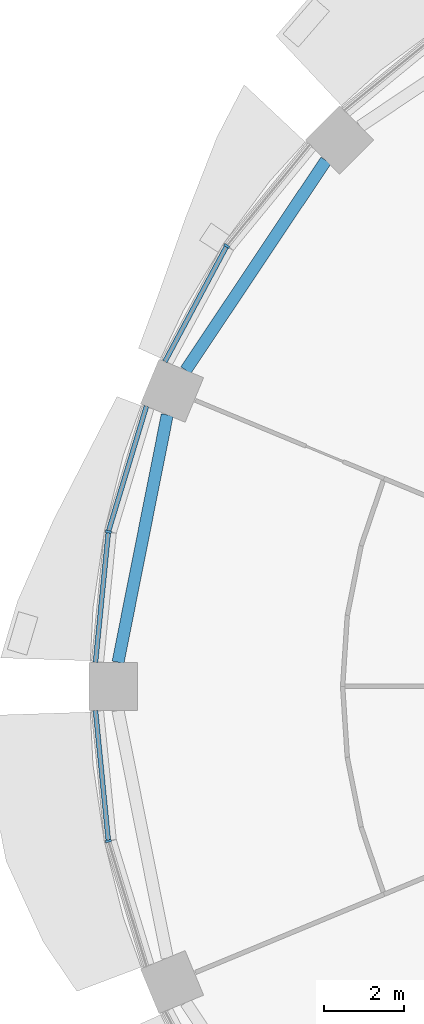
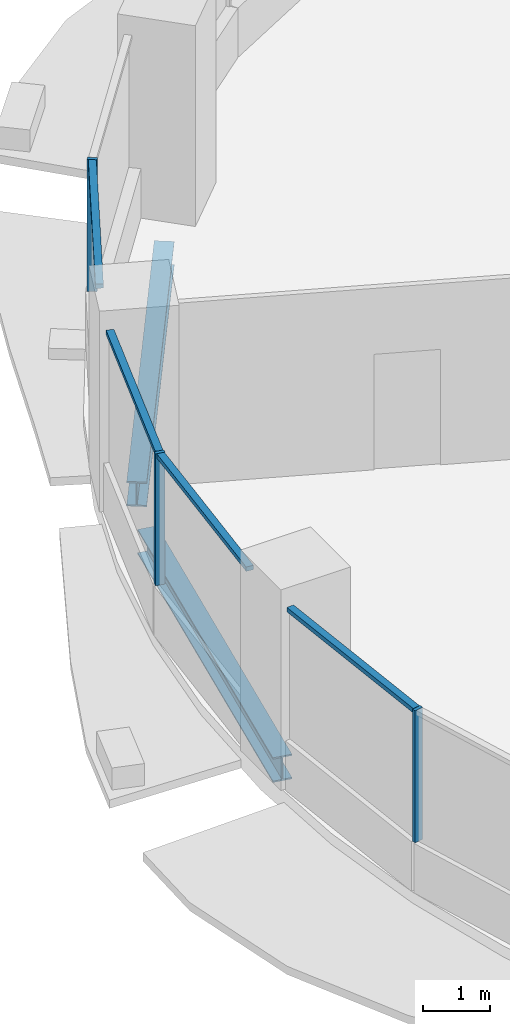
# One storey, part 4 of 15: 7 members, 2 beams, 3 elements without a shape of their own.
"""IFC4 building model written with IfcOpenShell, lengths in metres."""

import ifcopenshell
import ifcopenshell.guid

model = None  # the IFC model being written
_history = None  # IfcOwnerHistory: only IFC2X3 demands one
_inside = {}  # id of a spatial element -> (the spatial element, [elements in it])
_under = {}  # id of a project, library or spatial element -> (it, [spatial elements below it])
_declared = {}  # id of a project -> (the project, [libraries it declares])
_typed = {}  # id of a type object -> (the type object, [elements of that type])
_made_of = {}  # id of a material, layer set ... -> (it, [elements and type objects made of it])


def new_model(schema):
    """Start an empty IFC model of exactly this schema.

    Asked for "IFC4X3", IfcOpenShell would pick the latest addendum, in which some entities
    have other attributes; the version numbers below select the first issue.
    IFC2X3 requires an IfcOwnerHistory on every rooted entity: one is made here for all.
    """
    global model, _history
    if schema == "IFC4X3":
        model = ifcopenshell.file(schema_version=(4, 3, 0, 0))
    else:
        model = ifcopenshell.file(schema=schema)
    _inside.clear()
    _under.clear()
    _declared.clear()
    _typed.clear()
    _made_of.clear()
    _history = None
    if model.schema == "IFC2X3":
        org = make("IfcOrganization", Name="unknown")
        user = make(
            "IfcPersonAndOrganization",
            ThePerson=make("IfcPerson", FamilyName="unknown"),
            TheOrganization=org,
        )
        app = make(
            "IfcApplication",
            ApplicationDeveloper=org,
            Version="unknown",
            ApplicationFullName="unknown",
            ApplicationIdentifier="unknown",
        )
        _history = make(
            "IfcOwnerHistory",
            OwningUser=user,
            OwningApplication=app,
            ChangeAction="ADDED",
            CreationDate=0,
        )
    return model


def make(cls, **values):
    """One entity of the class cls with the attributes given. An attribute that is None is left unset."""
    return model.create_entity(
        cls, **{name: value for name, value in values.items() if value is not None}
    )


def rooted(cls, **values):
    """An entity with a GlobalId (a new one), such as an element, a storey or a relation."""
    return make(cls, GlobalId=ifcopenshell.guid.new(), OwnerHistory=_history, **values)


def si_unit(unit_type, name, prefix=None):
    """IfcSIUnit, for example si_unit("LENGTHUNIT", "METRE", prefix="MILLI")."""
    return make("IfcSIUnit", UnitType=unit_type, Prefix=prefix, Name=name)


def assignment(units):
    """IfcUnitAssignment: the units of a project."""
    return None if units is None else make("IfcUnitAssignment", Units=units)


def point(xyz):
    """IfcCartesianPoint."""
    return None if xyz is None else make("IfcCartesianPoint", Coordinates=xyz)


def direction(xyz):
    """IfcDirection."""
    return None if xyz is None else make("IfcDirection", DirectionRatios=xyz)


def frame(location, z_axis=None, x_axis=None):
    """IfcAxis2Placement3D, a coordinate frame: its origin and axes. An axis left out is left unset."""
    return make(
        "IfcAxis2Placement3D",
        Location=point(location),
        Axis=direction(z_axis),
        RefDirection=direction(x_axis),
    )


def frame_2d(location, x_axis=None):
    """IfcAxis2Placement2D, a coordinate frame in the plane: its origin and x axis."""
    return make(
        "IfcAxis2Placement2D", Location=point(location), RefDirection=direction(x_axis)
    )


def origin():
    """The frame at (0, 0, 0) with its axes left unset."""
    return frame((0.0, 0.0, 0.0))


def origin_2d():
    """The frame at (0, 0) in the plane with its x axis left unset."""
    return frame_2d((0.0, 0.0))


def place(relative_to, where):
    """IfcLocalPlacement: puts the frame where relative to a parent placement (None: the world)."""
    return make(
        "IfcLocalPlacement", PlacementRelTo=relative_to, RelativePlacement=where
    )


def context(
    kind, dimensions, precision=None, world=None, true_north=None, identifier=None
):
    """IfcGeometricRepresentationContext, for example the 3D "Model" context."""
    return make(
        "IfcGeometricRepresentationContext",
        ContextIdentifier=identifier,
        ContextType=kind,
        CoordinateSpaceDimension=dimensions,
        Precision=precision,
        WorldCoordinateSystem=world,
        TrueNorth=true_north,
    )


def subcontext(parent, identifier, kind, view, scale=None):
    """IfcGeometricRepresentationSubContext, for example "Body" below "Model"."""
    return make(
        "IfcGeometricRepresentationSubContext",
        ContextIdentifier=identifier,
        ContextType=kind,
        ParentContext=parent,
        TargetScale=scale,
        TargetView=view,
    )


def project(units=None, contexts=None):
    """IfcProject with its units and contexts."""
    return rooted(
        "IfcProject",
        Name="project",
        RepresentationContexts=contexts,
        UnitsInContext=assignment(units),
    )


def spatial(cls, under=None, at=None, **own):
    """A site, building, storey or space (cls), placed at a placement, below another one or the project."""
    s = rooted(cls, ObjectPlacement=at, **own)
    if under is not None:
        _under.setdefault(under.id(), (under, []))[1].append(s)
    return s


def profile(cls, at=None, kind="AREA", **sizes):
    """A parametric profile (cls). Its sizes go by their IFC names, for example OverallWidth=200.0."""
    return make(cls, ProfileType=kind, Position=at, **sizes)


def rectangle(**sizes):
    """IfcRectangleProfileDef."""
    return profile("IfcRectangleProfileDef", **sizes)


def i_section(**sizes):
    """IfcIShapeProfileDef."""
    return profile("IfcIShapeProfileDef", **sizes)


def extrude(swept, where, along, depth):
    """IfcExtrudedAreaSolid: the profile swept, set in the frame where, extruded along a direction by depth."""
    return make(
        "IfcExtrudedAreaSolid",
        SweptArea=swept,
        Position=where,
        ExtrudedDirection=direction(along),
        Depth=depth,
    )


def shape(context_of_items, identifier, shape_type, items):
    """IfcShapeRepresentation: the items that make up one representation, for example the "Body"."""
    return make(
        "IfcShapeRepresentation",
        ContextOfItems=context_of_items,
        RepresentationIdentifier=identifier,
        RepresentationType=shape_type,
        Items=items,
    )


def material(Name=None, Category=None):
    """IfcMaterial."""
    return make("IfcMaterial", Name=Name, Category=Category)


def material_profile(
    of_material, cross_section, Name=None, Category=None, Priority=None
):
    """IfcMaterialProfile: a cross section and its material."""
    return make(
        "IfcMaterialProfile",
        Name=Name,
        Material=of_material,
        Profile=cross_section,
        Priority=Priority,
        Category=Category,
    )


def profile_set(profiles, Name=None, composite=None):
    """IfcMaterialProfileSet."""
    return make(
        "IfcMaterialProfileSet",
        Name=Name,
        MaterialProfiles=profiles,
        CompositeProfile=composite,
    )


def made_of(thing, what):
    """Note that an element or type object is made of a material, layer set ...; save() writes the relation."""
    if what is not None:
        _made_of.setdefault(what.id(), (what, []))[1].append(thing)
    return thing


def type_object(cls, material=None, **own):
    """A type object (cls), such as IfcWallType, which elements share."""
    return made_of(rooted(cls, **own), material)


def element(
    cls,
    number,
    at=None,
    inside=None,
    cuts=None,
    type_object=None,
    material=None,
    context=None,
    identifier="Body",
    shape_type=None,
    held_by="IfcProductDefinitionShape",
    body=None,
    shapes=None,
    **own,
):
    """One element of the class cls, such as IfcWall. Its Tag is "e" and its number.

    at: its placement. inside: the storey or other place that contains it. cuts: it is an
    opening in that element (IfcRelVoidsElement). A single representation is given by context,
    identifier, shape_type and body (its items); several are given by shapes. held_by: the class
    of the entity that holds the representations. save() writes the other relations.
    """
    e = rooted(cls, Tag="e%d" % number, ObjectPlacement=at, **own)
    if body is not None:
        shapes = [shape(context, identifier, shape_type, body)]
    if shapes is not None:
        e.Representation = make(held_by, Representations=shapes)
    if inside is not None:
        _inside.setdefault(inside.id(), (inside, []))[1].append(e)
    if cuts is not None:
        rooted(
            "IfcRelVoidsElement", RelatingBuildingElement=cuts, RelatedOpeningElement=e
        )
    if type_object is not None:
        _typed.setdefault(type_object.id(), (type_object, []))[1].append(e)
    return made_of(e, material)


def aggregate(whole, parts):
    """IfcRelAggregates: a whole, such as a stair, and the parts it consists of."""
    return rooted("IfcRelAggregates", RelatingObject=whole, RelatedObjects=parts)


def save(model, path):
    """Write the relations noted so far, then the file.

    IfcRelAggregates (storeys below a building ...), IfcRelContainedInSpatialStructure (elements
    in a storey), IfcRelDefinesByType, IfcRelAssociatesMaterial and IfcRelDeclares: one each for
    every whole, place, type object, material and project.
    """
    for whole, parts in _under.values():
        aggregate(whole, parts)
    for where, things in _inside.values():
        rooted(
            "IfcRelContainedInSpatialStructure",
            RelatedElements=things,
            RelatingStructure=where,
        )
    for kind, things in _typed.values():
        rooted("IfcRelDefinesByType", RelatedObjects=things, RelatingType=kind)
    for what, things in _made_of.values():
        rooted("IfcRelAssociatesMaterial", RelatedObjects=things, RelatingMaterial=what)
    for by, libraries in _declared.values():
        rooted("IfcRelDeclares", RelatingContext=by, RelatedDefinitions=libraries)
    model.write(path)


model = new_model("IFC4")

# Units and contexts
model_context = context("Model", 3, precision=1e-05, world=origin(), true_north=direction((0.0, 1.0)))
body_context = subcontext(model_context, "Body", "Model", "MODEL_VIEW")
ifc_project = project(units=[si_unit("LENGTHUNIT", "METRE"), si_unit("AREAUNIT", "SQUARE_METRE"), si_unit("VOLUMEUNIT", "CUBIC_METRE"), si_unit("PLANEANGLEUNIT", "RADIAN"), si_unit("MASSUNIT", "GRAM", prefix="KILO")], contexts=[model_context])

# Site, building, storey
site_placement = place(None, origin())
site = spatial("IfcSite", under=ifc_project, at=site_placement, CompositionType="ELEMENT")
building_placement = place(site_placement, origin())
building = spatial("IfcBuilding", under=site, at=building_placement, Name="Polderwave Tower", CompositionType="ELEMENT")
storey_placement = place(building_placement, frame((0.0, 0.0, 33.5)))
storey = spatial("IfcBuildingStorey", under=building, at=storey_placement, Name="L08", CompositionType="ELEMENT", Elevation=33.5)

# Curtain wall, member
ifc_material_1 = material(Name="Aluminium 6063-T6 and glass", Category="aluminium")
curtain_wall_type = type_object("IfcCurtainWallType", Name="Growing floor ribbon glazing wall", PredefinedType="NOTDEFINED", material=ifc_material_1)
curtain_wall_1_placement = place(storey_placement, origin())
curtain_wall_1 = element("IfcCurtainWall", 1, at=curtain_wall_1_placement, inside=storey, type_object=curtain_wall_type, Name="CW2 L08 06", PredefinedType="NOTDEFINED")
ifc_material_2 = material(Name="Aluminium 6063-T6", Category="aluminium")
ifc_material_profile_1 = material_profile(ifc_material_2, rectangle(XDim=0.14990234375, YDim=0.06005859375, at=origin_2d()), Name="AL 60x150")
ifc_profile_set_1 = profile_set([ifc_material_profile_1], Name="Aluminium 6063-T6")
member_type_1 = type_object("IfcMemberType", Name="Growing floor ribbon glazing mullion 60x150", PredefinedType="MULLION", material=ifc_profile_set_1)
member_1_placement = place(storey_placement, frame((-16.3798828125, 10.945068359375, 0.89990234375), z_axis=(0.0, 0.0, 1.0), x_axis=(0.831436642637, -0.555619572441, 0.0)))
member_1 = element("IfcMember", 2, at=member_1_placement, type_object=member_type_1, Name="CW2 mullion 1", PredefinedType="MULLION", context=body_context, shape_type="SweptSolid", body=[
    extrude(rectangle(XDim=0.14990234375, YDim=0.06005859375, at=origin_2d()), origin(), (0.0, 0.0, 1.0), 2.400146484375),
])

curtain_wall_2_placement = place(storey_placement, origin())
curtain_wall_2 = element("IfcCurtainWall", 3, at=curtain_wall_2_placement, inside=storey, type_object=curtain_wall_type, Name="CW2 L08 07", PredefinedType="NOTDEFINED")
member_2_placement = place(storey_placement, frame((-19.321044921875, 3.843017578125, 0.89990234375), z_axis=(0.0, 0.0, 1.0), x_axis=(0.980771658139, -0.19515879327, 0.0)))
member_2 = element("IfcMember", 4, at=member_2_placement, type_object=member_type_1, Name="CW2 mullion 1", PredefinedType="MULLION", context=body_context, shape_type="SweptSolid", body=[
    extrude(rectangle(XDim=0.14990234375, YDim=0.06005859375, at=origin_2d()), origin(), (0.0, 0.0, 1.0), 2.400146484375),
])

curtain_wall_3_placement = place(storey_placement, origin())
curtain_wall_3 = element("IfcCurtainWall", 5, at=curtain_wall_3_placement, inside=storey, type_object=curtain_wall_type, Name="CW2 L08 08", PredefinedType="NOTDEFINED")
member_3_placement = place(storey_placement, frame((-19.321044921875, -3.843017578125, 0.89990234375), z_axis=(0.0, 0.0, 1.0), x_axis=(0.980771658139, 0.19515879327, 0.0)))
member_3 = element("IfcMember", 6, at=member_3_placement, type_object=member_type_1, Name="CW2 mullion 1", PredefinedType="MULLION", context=body_context, shape_type="SweptSolid", body=[
    extrude(rectangle(XDim=0.14990234375, YDim=0.06005859375, at=origin_2d()), origin(), (0.0, 0.0, 1.0), 2.400146484375),
])

# Member
ifc_material_profile_2 = material_profile(ifc_material_2, rectangle(XDim=0.1201171875, YDim=0.080078125, at=origin_2d()), Name="AL 80x120")
ifc_profile_set_2 = profile_set([ifc_material_profile_2], Name="Aluminium 6063-T6")
member_type_2 = type_object("IfcMemberType", Name="Growing floor ribbon glazing transom 80x120", PredefinedType="USERDEFINED", material=ifc_profile_set_2)
member_4_placement = place(storey_placement, frame((-16.39404296875, 10.91845703125, 3.260009765625), z_axis=(-0.471396538118, -0.88192137056, 0.0), x_axis=(0.88192137056, -0.471396538118, 0.0)))
member_4 = element("IfcMember", 7, at=member_4_placement, type_object=member_type_2, Name="CW2 transom 2", ObjectType="TRANSOM", PredefinedType="USERDEFINED", context=body_context, shape_type="SweptSolid", body=[
    extrude(rectangle(XDim=0.1201171875, YDim=0.080078125, at=origin_2d()), origin(), (0.0, 0.0, 1.0), 3.228759765625),
])

aggregate(curtain_wall_1, [member_1, member_4])

member_5_placement = place(storey_placement, frame((-18.375, 6.9619140625, 3.260009765625), z_axis=(-0.290231901029, -0.956956343636, 0.0), x_axis=(0.956956343636, -0.290231901029, 0.0)))
member_5 = element("IfcMember", 8, at=member_5_placement, type_object=member_type_2, Name="CW2 transom 1", ObjectType="TRANSOM", PredefinedType="USERDEFINED", context=body_context, shape_type="SweptSolid", body=[
    extrude(rectangle(XDim=0.1201171875, YDim=0.080078125, at=origin_2d()), origin(), (0.0, 0.0, 1.0), 3.229248046875),
])

member_6_placement = place(storey_placement, frame((-19.323974609375, 3.81298828125, 3.260009765625), z_axis=(-0.098230820031, -0.995163657896, 0.0), x_axis=(0.995163657896, -0.098230820031, 0.0)))
member_6 = element("IfcMember", 9, at=member_6_placement, type_object=member_type_2, Name="CW2 transom 2", ObjectType="TRANSOM", PredefinedType="USERDEFINED", context=body_context, shape_type="SweptSolid", body=[
    extrude(rectangle(XDim=0.1201171875, YDim=0.080078125, at=origin_2d()), origin(), (0.0, 0.0, 1.0), 3.228515625),
])

aggregate(curtain_wall_2, [member_2, member_5, member_6])

member_7_placement = place(storey_placement, frame((-19.64111328125, -0.60009765625, 3.260009765625), z_axis=(0.098230820031, -0.995163657896, 0.0), x_axis=(0.995163657896, 0.098230820031, 0.0)))
member_7 = element("IfcMember", 10, at=member_7_placement, type_object=member_type_2, Name="CW2 transom 1", ObjectType="TRANSOM", PredefinedType="USERDEFINED", context=body_context, shape_type="SweptSolid", body=[
    extrude(rectangle(XDim=0.1201171875, YDim=0.080078125, at=origin_2d()), origin(), (0.0, 0.0, 1.0), 3.228515625),
])

aggregate(curtain_wall_3, [member_3, member_7])

# Beams
ifc_material_3 = material(Name="Steel S355", Category="steel")
ifc_material_profile_3 = material_profile(ifc_material_3, i_section(OverallWidth=0.300048828125, OverallDepth=0.449951171875, WebThickness=0.013916015625, FlangeThickness=0.02587890625, at=origin_2d()), Name="HE 450 B")
ifc_profile_set_3 = profile_set([ifc_material_profile_3], Name="Steel S355")
beam_type = type_object("IfcBeamType", Name="RING BEAM HE 450 B", PredefinedType="BEAM", material=ifc_profile_set_3)
beam_1_placement = place(storey_placement, frame((-13.916259765625, 13.06787109375, -0.574951171875), z_axis=(-0.555580751359, -0.831462584076, 0.0), x_axis=(0.831462584076, -0.555580751359, 0.0)))
element("IfcBeam", 11, at=beam_1_placement, inside=storey, type_object=beam_type, Name="ST-RB-L08-06", PredefinedType="BEAM", context=body_context, shape_type="SweptSolid", body=[
    extrude(i_section(OverallWidth=0.300048828125, OverallDepth=0.449951171875, WebThickness=0.013916015625, FlangeThickness=0.02587890625, at=origin_2d()), origin(), (0.0, 0.0, 1.0), 6.26806640625),
])
beam_2_placement = place(storey_placement, frame((-17.85791015625, 6.74755859375, -0.574951171875), z_axis=(-0.195067338291, -0.98078985187, 0.0), x_axis=(0.98078985187, -0.195067338291, 0.0)))
element("IfcBeam", 12, at=beam_2_placement, inside=storey, type_object=beam_type, Name="ST-RB-L08-07", PredefinedType="BEAM", context=body_context, shape_type="SweptSolid", body=[
    extrude(i_section(OverallWidth=0.300048828125, OverallDepth=0.449951171875, WebThickness=0.013916015625, FlangeThickness=0.02587890625, at=origin_2d()), origin(), (0.0, 0.0, 1.0), 6.267822265625),
])

save(model, "model.ifc")
